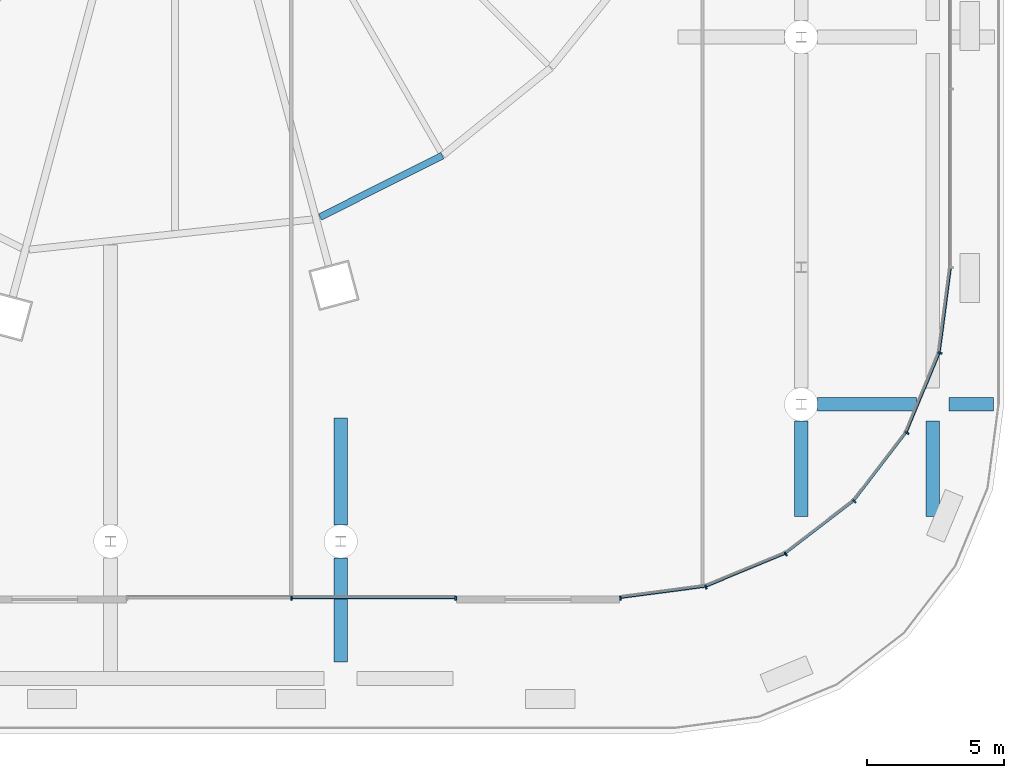
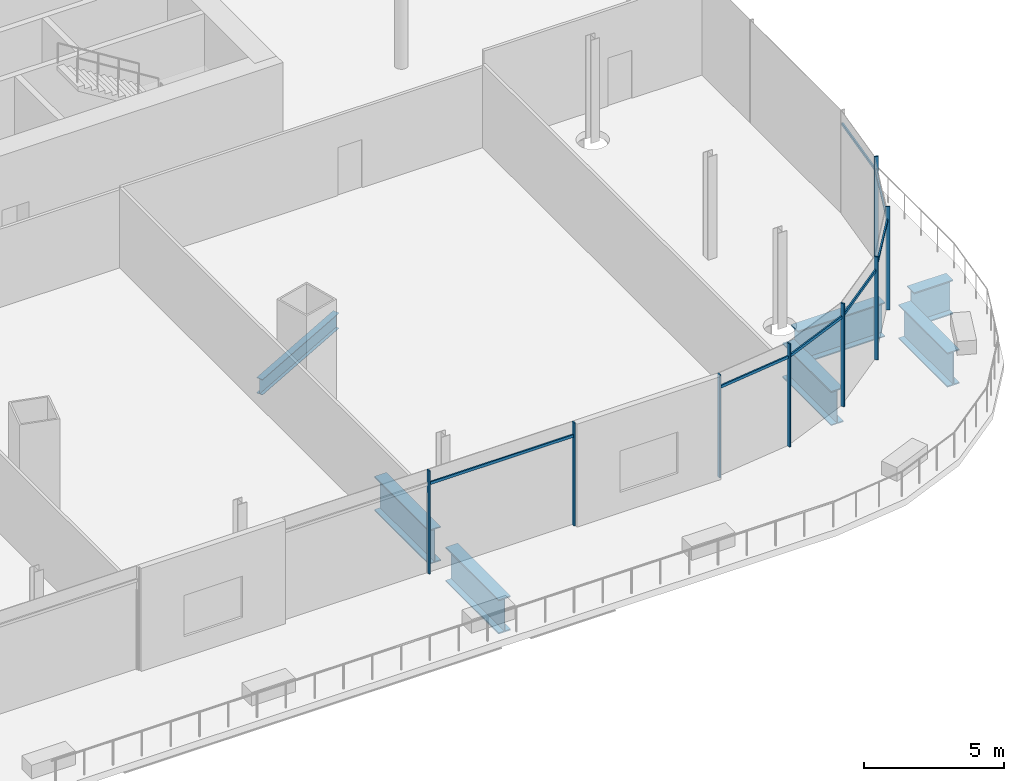
# One storey, part 23 of 56: 15 members, 7 beams, 1 element without a shape of its own.
"""IFC4 building model written with IfcOpenShell, lengths in metres."""

from ifc_helpers import new_model, si_unit, direction, frame, origin, origin_2d, place, context, subcontext, project, spatial, rectangle, i_section, extrude, material, material_profile, profile_set, type_object, element, aggregate, save


model = new_model("IFC4")

# Units and contexts
model_context = context("Model", 3, precision=1e-05, world=origin(), true_north=direction((0.0, 1.0)))
body_context = subcontext(model_context, "Body", "Model", "MODEL_VIEW")
ifc_project = project(units=[si_unit("LENGTHUNIT", "METRE"), si_unit("AREAUNIT", "SQUARE_METRE"), si_unit("VOLUMEUNIT", "CUBIC_METRE"), si_unit("PLANEANGLEUNIT", "RADIAN"), si_unit("MASSUNIT", "GRAM", prefix="KILO")], contexts=[model_context])

# Site, building, storey
site_placement = place(None, origin())
site = spatial("IfcSite", under=ifc_project, at=site_placement, CompositionType="ELEMENT")
building_placement = place(site_placement, origin())
building = spatial("IfcBuilding", under=site, at=building_placement, Name="Rimbun Link Towers", CompositionType="ELEMENT")
storey_placement = place(building_placement, frame((0.0, 0.0, 16.5)))
storey = spatial("IfcBuildingStorey", under=building, at=storey_placement, Name="L03", CompositionType="ELEMENT", Elevation=16.5)

# Curtain wall, members
ifc_material_1 = material(Name="Aluminium 6063-T6 and low-iron glass", Category="aluminium")
curtain_wall_type = type_object("IfcCurtainWallType", Name="CW3 podium shopfront", PredefinedType="NOTDEFINED", material=ifc_material_1)
curtain_wall_placement = place(storey_placement, origin())
curtain_wall = element("IfcCurtainWall", 1, at=curtain_wall_placement, inside=storey, type_object=curtain_wall_type, Name="CW3 L03 PD", PredefinedType="NOTDEFINED")
ifc_material_2 = material(Name="Aluminium 6063-T6", Category="aluminium")
ifc_material_profile_1 = material_profile(ifc_material_2, rectangle(XDim=0.14990234375, YDim=0.06005859375, at=origin_2d()), Name="MULLION 60X150")
ifc_profile_set_1 = profile_set([ifc_material_profile_1], Name="Aluminium 6063-T6")
member_type_1 = type_object("IfcMemberType", Name="CW3 mullion 60X150", PredefinedType="MULLION", material=ifc_profile_set_1)
member_1_placement = place(storey_placement, frame((51.125244140625, -32.66357421875, 0.0), z_axis=(0.0, 0.0, 1.0), x_axis=(0.258818729038, -0.965925910978, 0.0)))
member_1 = element("IfcMember", 2, at=member_1_placement, type_object=member_type_1, Name="CW3 mullion", PredefinedType="MULLION", context=body_context, shape_type="SweptSolid", body=[
    extrude(rectangle(XDim=0.14990234375, YDim=0.06005859375, at=origin_2d()), origin(), (0.0, 0.0, 1.0), 4.5),
])
member_2_placement = place(storey_placement, frame((48.0048828125, -33.074951171875, 0.0), z_axis=(0.0, 0.0, 1.0), x_axis=(0.065405288299, -0.997858781723, 0.0)))
member_2 = element("IfcMember", 3, at=member_2_placement, type_object=member_type_1, Name="CW3 mullion", PredefinedType="MULLION", context=body_context, shape_type="SweptSolid", body=[
    extrude(rectangle(XDim=0.14990234375, YDim=0.06005859375, at=origin_2d()), origin(), (0.0, 0.0, 1.0), 4.5),
])
member_3_placement = place(storey_placement, frame((54.03759765625, -31.457275390625, 0.0), z_axis=(0.0, 0.0, 1.0), x_axis=(0.499993701568, -0.866029040155, 0.0)))
member_3 = element("IfcMember", 4, at=member_3_placement, type_object=member_type_1, Name="CW3 mullion", PredefinedType="MULLION", context=body_context, shape_type="SweptSolid", body=[
    extrude(rectangle(XDim=0.14990234375, YDim=0.06005859375, at=origin_2d()), origin(), (0.0, 0.0, 1.0), 4.5),
])
member_4_placement = place(storey_placement, frame((56.538330078125, -29.538330078125, 0.0), z_axis=(0.0, 0.0, 1.0), x_axis=(0.707106781187, -0.707106781187, 0.0)))
member_4 = element("IfcMember", 5, at=member_4_placement, type_object=member_type_1, Name="CW3 mullion", PredefinedType="MULLION", context=body_context, shape_type="SweptSolid", body=[
    extrude(rectangle(XDim=0.14990234375, YDim=0.06005859375, at=origin_2d()), origin(), (0.0, 0.0, 1.0), 4.5),
])
member_5_placement = place(storey_placement, frame((58.457275390625, -27.03759765625, 0.0), z_axis=(0.0, 0.0, 1.0), x_axis=(0.866029040155, -0.499993701568, 0.0)))
member_5 = element("IfcMember", 6, at=member_5_placement, type_object=member_type_1, Name="CW3 mullion", PredefinedType="MULLION", context=body_context, shape_type="SweptSolid", body=[
    extrude(rectangle(XDim=0.14990234375, YDim=0.06005859375, at=origin_2d()), origin(), (0.0, 0.0, 1.0), 4.5),
])
member_6_placement = place(storey_placement, frame((59.66357421875, -24.125244140625, 0.0), z_axis=(0.0, 0.0, 1.0), x_axis=(0.965925910978, -0.258818729038, 0.0)))
member_6 = element("IfcMember", 7, at=member_6_placement, type_object=member_type_1, Name="CW3 mullion", PredefinedType="MULLION", context=body_context, shape_type="SweptSolid", body=[
    extrude(rectangle(XDim=0.14990234375, YDim=0.06005859375, at=origin_2d()), origin(), (0.0, 0.0, 1.0), 4.5),
])
member_7_placement = place(storey_placement, frame((36.0, -33.074951171875, 0.0), z_axis=(0.0, 0.0, 1.0), x_axis=(0.0, -1.0, 0.0)))
member_7 = element("IfcMember", 8, at=member_7_placement, type_object=member_type_1, Name="CW3 mullion", PredefinedType="MULLION", context=body_context, shape_type="SweptSolid", body=[
    extrude(rectangle(XDim=0.14990234375, YDim=0.06005859375, at=origin_2d()), origin(), (0.0, 0.0, 1.0), 4.5),
])
member_8_placement = place(storey_placement, frame((42.0, -33.074951171875, 0.0), z_axis=(0.0, 0.0, 1.0), x_axis=(0.0, -1.0, 0.0)))
member_8 = element("IfcMember", 9, at=member_8_placement, type_object=member_type_1, Name="CW3 mullion", PredefinedType="MULLION", context=body_context, shape_type="SweptSolid", body=[
    extrude(rectangle(XDim=0.14990234375, YDim=0.06005859375, at=origin_2d()), origin(), (0.0, 0.0, 1.0), 4.5),
])
ifc_material_3 = material(Name="Aluminium 6063-T6", Category="aluminium")
ifc_material_profile_2 = material_profile(ifc_material_3, rectangle(XDim=0.06005859375, YDim=0.1201171875, at=origin_2d()), Name="TRANSOM 60X120")
ifc_profile_set_2 = profile_set([ifc_material_profile_2], Name="Aluminium 6063-T6")
member_type_2 = type_object("IfcMemberType", Name="CW3 transom 60X120", PredefinedType="USERDEFINED", material=ifc_profile_set_2)
member_9_placement = place(storey_placement, frame((51.0830078125, -32.6484375, 3.89990234375), z_axis=(-0.991441037829, -0.130555231638, 0.0), x_axis=(0.130555231638, -0.991441037829, 0.0)))
member_9 = element("IfcMember", 10, at=member_9_placement, type_object=member_type_2, Name="CW3 transom", ObjectType="TRANSOM", PredefinedType="USERDEFINED", context=body_context, shape_type="SweptSolid", body=[
    extrude(rectangle(XDim=0.06005859375, YDim=0.1201171875, at=origin_2d()), origin(), (0.0, 0.0, 1.0), 3.072509765625),
])
member_10_placement = place(storey_placement, frame((53.992919921875, -31.45361328125, 3.89990234375), z_axis=(-0.923881248716, -0.382679289053, 0.0), x_axis=(0.382679289053, -0.923881248716, 0.0)))
member_10 = element("IfcMember", 11, at=member_10_placement, type_object=member_type_2, Name="CW3 transom", ObjectType="TRANSOM", PredefinedType="USERDEFINED", context=body_context, shape_type="SweptSolid", body=[
    extrude(rectangle(XDim=0.06005859375, YDim=0.1201171875, at=origin_2d()), origin(), (0.0, 0.0, 1.0), 3.072509765625),
])
member_11_placement = place(storey_placement, frame((56.494384765625, -29.54638671875, 3.89990234375), z_axis=(-0.793344129687, -0.608773432314, 0.0), x_axis=(0.608773432314, -0.793344129687, 0.0)))
member_11 = element("IfcMember", 12, at=member_11_placement, type_object=member_type_2, Name="CW3 transom", ObjectType="TRANSOM", PredefinedType="USERDEFINED", context=body_context, shape_type="SweptSolid", body=[
    extrude(rectangle(XDim=0.06005859375, YDim=0.1201171875, at=origin_2d()), origin(), (0.0, 0.0, 1.0), 3.07275390625),
])
member_12_placement = place(storey_placement, frame((58.4169921875, -27.056640625, 3.89990234375), z_axis=(-0.608773432314, -0.793344129687, 0.0), x_axis=(0.793344129687, -0.608773432314, 0.0)))
member_12 = element("IfcMember", 13, at=member_12_placement, type_object=member_type_2, Name="CW3 transom", ObjectType="TRANSOM", PredefinedType="USERDEFINED", context=body_context, shape_type="SweptSolid", body=[
    extrude(rectangle(XDim=0.06005859375, YDim=0.1201171875, at=origin_2d()), origin(), (0.0, 0.0, 1.0), 3.07275390625),
])
member_13_placement = place(storey_placement, frame((59.62939453125, -24.154296875, 3.89990234375), z_axis=(-0.382679289053, -0.923881248716, 0.0), x_axis=(0.923881248716, -0.382679289053, 0.0)))
member_13 = element("IfcMember", 14, at=member_13_placement, type_object=member_type_2, Name="CW3 transom", ObjectType="TRANSOM", PredefinedType="USERDEFINED", context=body_context, shape_type="SweptSolid", body=[
    extrude(rectangle(XDim=0.06005859375, YDim=0.1201171875, at=origin_2d()), origin(), (0.0, 0.0, 1.0), 3.072509765625),
])
member_14_placement = place(storey_placement, frame((60.049560546875, -21.036865234375, 3.89990234375), z_axis=(-0.130555231638, -0.991441037829, 0.0), x_axis=(0.991441037829, -0.130555231638, 0.0)))
member_14 = element("IfcMember", 15, at=member_14_placement, type_object=member_type_2, Name="CW3 transom", ObjectType="TRANSOM", PredefinedType="USERDEFINED", context=body_context, shape_type="SweptSolid", body=[
    extrude(rectangle(XDim=0.06005859375, YDim=0.1201171875, at=origin_2d()), origin(), (0.0, 0.0, 1.0), 3.072509765625),
])
member_15_placement = place(storey_placement, frame((41.969970703125, -33.053955078125, 3.89990234375), z_axis=(-1.0, 0.0, 0.0), x_axis=(0.0, -1.0, 0.0)))
member_15 = element("IfcMember", 16, at=member_15_placement, type_object=member_type_2, Name="CW3 transom", ObjectType="TRANSOM", PredefinedType="USERDEFINED", context=body_context, shape_type="SweptSolid", body=[
    extrude(rectangle(XDim=0.06005859375, YDim=0.1201171875, at=origin_2d()), origin(), (0.0, 0.0, 1.0), 5.93994140625),
])
aggregate(curtain_wall, [member_1, member_2, member_3, member_4, member_5, member_6, member_7, member_8, member_9, member_10, member_11, member_12, member_13, member_14, member_15])

# Beams
ifc_material_4 = material(Name="Steel S355J2", Category="steel")
ifc_material_profile_3 = material_profile(ifc_material_4, i_section(OverallWidth=0.5, OverallDepth=1.5, WebThickness=0.030029296875, FlangeThickness=0.050048828125, at=origin_2d()), Name="PG 1500x500x30/50")
ifc_profile_set_3 = profile_set([ifc_material_profile_3], Name="Steel S355J2")
beam_type_1 = type_object("IfcBeamType", Name="PG 1500x500x30/50", PredefinedType="BEAM", material=ifc_profile_set_3)
beam_1_placement = place(storey_placement, frame((55.199951171875, -26.0, -1.050048828125), z_axis=(1.0, 0.0, 0.0), x_axis=(0.0, 1.0, 0.0)))
element("IfcBeam", 17, at=beam_1_placement, inside=storey, type_object=beam_type_1, Name="Grid beam L03 -26.0", PredefinedType="BEAM", context=body_context, shape_type="SweptSolid", body=[
    extrude(i_section(OverallWidth=0.5, OverallDepth=1.5, WebThickness=0.030029296875, FlangeThickness=0.050048828125, at=origin_2d()), origin(), (0.0, 0.0, 1.0), 3.60009765625),
])
beam_2_placement = place(storey_placement, frame((60.0, -26.0, -1.050048828125), z_axis=(1.0, 0.0, 0.0), x_axis=(0.0, 1.0, 0.0)))
element("IfcBeam", 18, at=beam_2_placement, inside=storey, type_object=beam_type_1, Name="Grid beam L03 -26.0", PredefinedType="BEAM", context=body_context, shape_type="SweptSolid", body=[
    extrude(i_section(OverallWidth=0.5, OverallDepth=1.5, WebThickness=0.030029296875, FlangeThickness=0.050048828125, at=origin_2d()), origin(), (0.0, 0.0, 1.0), 1.613037109375),
])
beam_3_placement = place(storey_placement, frame((37.800048828125, -35.39990234375, -1.050048828125), z_axis=(0.0, 1.0, 0.0), x_axis=(-1.0, 0.0, 0.0)))
element("IfcBeam", 19, at=beam_3_placement, inside=storey, type_object=beam_type_1, Name="Grid beam L03 +37.8", PredefinedType="BEAM", context=body_context, shape_type="SweptSolid", body=[
    extrude(i_section(OverallWidth=0.5, OverallDepth=1.5, WebThickness=0.030029296875, FlangeThickness=0.050048828125, at=origin_2d()), origin(), (0.0, 0.0, 1.0), 3.7998046875),
])
beam_4_placement = place(storey_placement, frame((37.800048828125, -30.39990234375, -1.050048828125), z_axis=(0.0, 1.0, 0.0), x_axis=(-1.0, 0.0, 0.0)))
element("IfcBeam", 20, at=beam_4_placement, inside=storey, type_object=beam_type_1, Name="Grid beam L03 +37.8", PredefinedType="BEAM", context=body_context, shape_type="SweptSolid", body=[
    extrude(i_section(OverallWidth=0.5, OverallDepth=1.5, WebThickness=0.030029296875, FlangeThickness=0.050048828125, at=origin_2d()), origin(), (0.0, 0.0, 1.0), 3.89990234375),
])
for number, where, z_axis, x_axis, name in (
    (21, (54.60009765625, -30.10009765625, -1.050048828125), (0.0, 1.0, 0.0), (-1.0, 0.0, 0.0), "Grid beam L03 +54.6"),
    (22, (59.39990234375, -30.10009765625, -1.050048828125), (0.0, 1.0, 0.0), (-1.0, 0.0, 0.0), "Grid beam L03 +59.4"),
):
    element("IfcBeam", number, at=place(storey_placement, frame(where, z_axis=z_axis, x_axis=x_axis)), inside=storey, type_object=beam_type_1, Name=name, PredefinedType="BEAM", context=body_context, shape_type="SweptSolid", body=[
        extrude(i_section(OverallWidth=0.5, OverallDepth=1.5, WebThickness=0.030029296875, FlangeThickness=0.050048828125, at=origin_2d()), origin(), (0.0, 0.0, 1.0), 3.5),
    ])
ifc_material_5 = material(Name="Steel S355J2", Category="steel")
ifc_material_profile_4 = material_profile(ifc_material_5, i_section(OverallWidth=0.253662109375, OverallDepth=0.68359375, WebThickness=0.012451171875, FlangeThickness=0.01904296875, at=origin_2d()), Name="UB 686x254x140")
ifc_profile_set_4 = profile_set([ifc_material_profile_4], Name="Steel S355J2")
beam_type_2 = type_object("IfcBeamType", Name="UB 686x254x140", PredefinedType="BEAM", material=ifc_profile_set_4)
beam_5_placement = place(storey_placement, frame((37.044921875, -19.167724609375, -0.641845703125), z_axis=(0.893427268905, 0.44920787524, 0.0), x_axis=(-0.44920787524, 0.893427268905, 0.0)))
element("IfcBeam", 23, at=beam_5_placement, inside=storey, type_object=beam_type_2, Name="Edge beam T2 L03 16", PredefinedType="BEAM", context=body_context, shape_type="SweptSolid", body=[
    extrude(i_section(OverallWidth=0.253662109375, OverallDepth=0.68359375, WebThickness=0.012451171875, FlangeThickness=0.01904296875, at=origin_2d()), origin(), (0.0, 0.0, 1.0), 4.991943359375),
])

save(model, "model.ifc")
